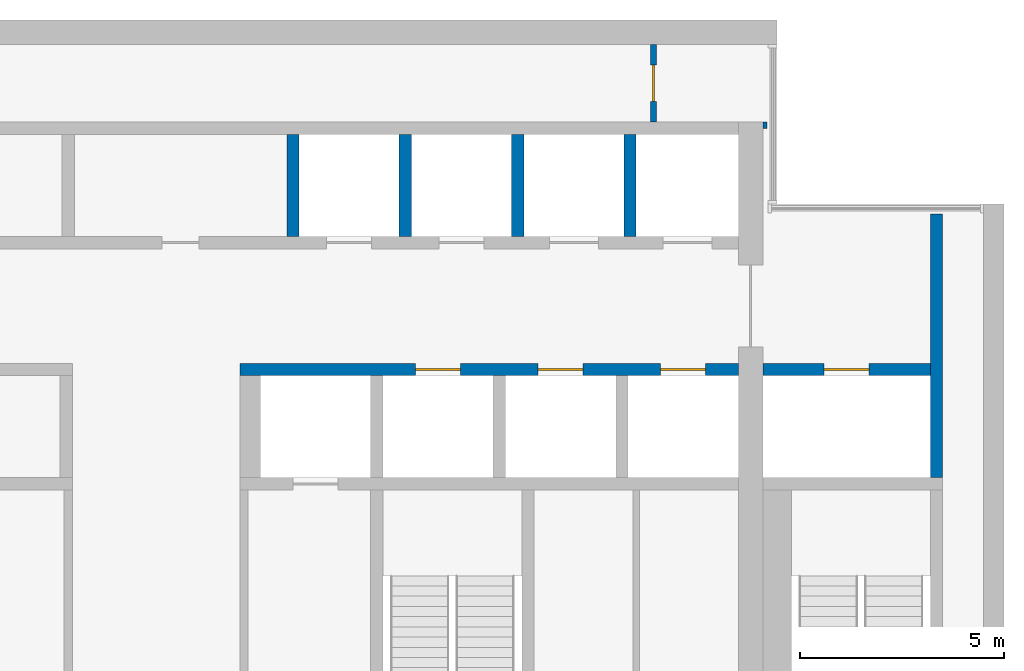
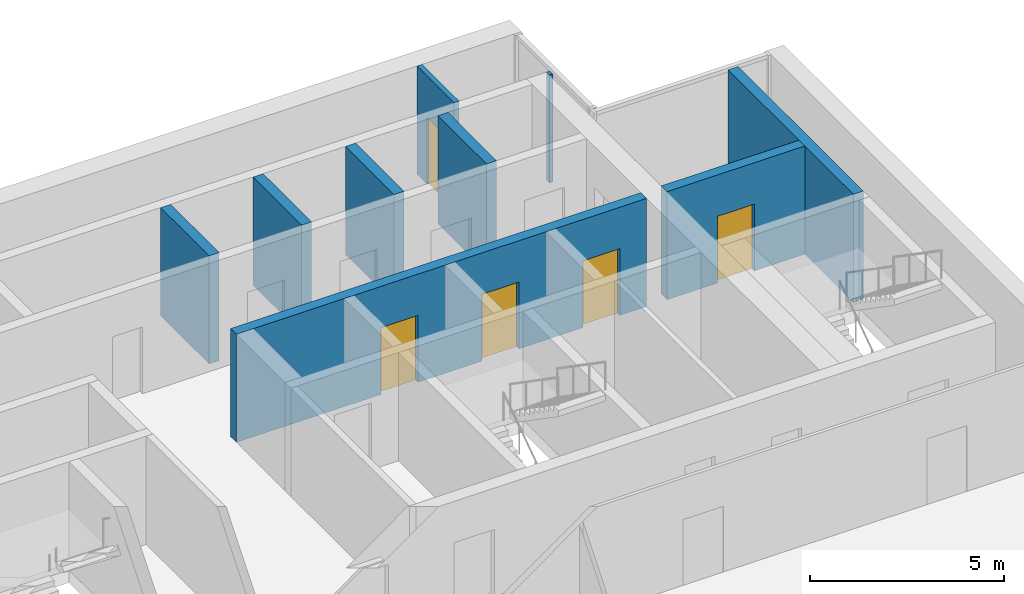
# One storey, part 11 of 14: 9 walls, 5 doors, 5 openings.
"""IFC4 building model written with IfcOpenShell, lengths in metres."""

from ifc_helpers import new_model, si_unit, direction, frame, frame_2d, origin, place, context, subcontext, project, spatial, rectangle, extrude, material, layer, layer_set, type_object, element, fill, save


model = new_model("IFC4")

# Units and contexts
model_context = context("Model", 3, precision=1e-05, world=origin(), true_north=direction((0.0, 1.0)))
body_context = subcontext(model_context, "Body", "Model", "MODEL_VIEW")
ifc_project = project(units=[si_unit("LENGTHUNIT", "METRE"), si_unit("AREAUNIT", "SQUARE_METRE"), si_unit("VOLUMEUNIT", "CUBIC_METRE"), si_unit("PLANEANGLEUNIT", "RADIAN"), si_unit("MASSUNIT", "GRAM", prefix="KILO")], contexts=[model_context])

# Site, building, storey
site_placement = place(None, origin())
site = spatial("IfcSite", under=ifc_project, at=site_placement, CompositionType="ELEMENT")
building_placement = place(site_placement, origin())
building = spatial("IfcBuilding", under=site, at=building_placement, Name="Calvaro Tower", CompositionType="ELEMENT")
storey_placement = place(building_placement, frame((0.0, 0.0, 243.14990234375)))
storey = spatial("IfcBuildingStorey", under=building, at=storey_placement, Name="L61", CompositionType="ELEMENT", Elevation=243.14990234375)

# Wall
ifc_material_1 = material(Name="Blockwork partition", Category="masonry")
ifc_layer_1 = layer(ifc_material_1, 0.10009765625)
ifc_layer_set_1 = layer_set([ifc_layer_1], Name="Blockwork partition")
wall_type_1 = type_object("IfcWallType", Name="Core partition 100 REI 120", PredefinedType="PARTITIONING", material=ifc_layer_set_1)
wall_1_placement = place(storey_placement, frame((60.14990234375, 43.35009765625, 0.0), z_axis=(0.0, 0.0, 1.0), x_axis=(0.0, 1.0, 0.0)))
element("IfcWall", 1, at=wall_1_placement, inside=storey, type_object=wall_type_1, Name="Core partition", PredefinedType="PARTITIONING", context=body_context, shape_type="SweptSolid", body=[
    extrude(rectangle(XDim=0.14990234375, YDim=0.10009765625, at=frame_2d((0.074951171875, 0.0))), origin(), (0.0, 0.0, 1.0), 3.400146484375),
])

# Wall, opening, door
ifc_material_2 = material(Name="Blockwork partition", Category="masonry")
ifc_layer_2 = layer(ifc_material_2, 0.14990234375)
ifc_layer_set_2 = layer_set([ifc_layer_2], Name="Blockwork partition")
wall_type_2 = type_object("IfcWallType", Name="Core partition 150 REI 120", PredefinedType="PARTITIONING", material=ifc_layer_set_2)
wall_2_placement = place(storey_placement, frame((57.425048828125, 45.39990234375, 0.0), z_axis=(0.0, 0.0, 1.0), x_axis=(0.0, -1.0, 0.0)))
wall_2 = element("IfcWall", 2, at=wall_2_placement, inside=storey, type_object=wall_type_2, Name="Core partition", PredefinedType="PARTITIONING", context=body_context, shape_type="SweptSolid", body=[
    extrude(rectangle(XDim=1.89990234375, YDim=0.14990234375, at=frame_2d((0.949951171875, 0.0))), origin(), (0.0, 0.0, 1.0), 3.400146484375),
])
opening_1_placement = place(wall_2_placement, frame((0.5, 0.0, 0.0)))
opening_1 = element("IfcOpeningElement", 3, at=opening_1_placement, cuts=wall_2, Name="Opening RD9E", PredefinedType="OPENING", context=body_context, shape_type="SweptSolid", body=[
    extrude(rectangle(XDim=0.89990234375, YDim=2.10009765625, at=frame_2d((0.449951171875, 1.050048828125))), frame((0.0, 0.0849609375, 0.0), z_axis=(0.0, -1.0, 0.0), x_axis=(1.0, 0.0, 0.0)), (0.0, 0.0, 1.0), 0.169921875),
])
ifc_material_3 = material(Name="Steel door set", Category="steel")
door_type_1 = type_object("IfcDoorType", Name="Room door 900 FD60", OperationType="SINGLE_SWING_LEFT", PredefinedType="DOOR", material=ifc_material_3)
door_1_placement = place(opening_1_placement, origin())
door_1 = element("IfcDoor", 4, at=door_1_placement, inside=storey, type_object=door_type_1, Name="Room door", OperationType="SINGLE_SWING_LEFT", OverallHeight=2.10009765625, OverallWidth=0.89990234375, PredefinedType="DOOR", context=body_context, shape_type="SweptSolid", body=[
    extrude(rectangle(XDim=0.89990234375, YDim=2.10009765625, at=frame_2d((0.449951171875, 1.050048828125))), frame((0.0, 0.02490234375, 0.0), z_axis=(0.0, -1.0, 0.0), x_axis=(1.0, 0.0, 0.0)), (0.0, 0.0, 1.0), 0.050048828125),
])
fill(opening_1, door_1)

# Wall
ifc_material_4 = material(Name="Concrete C40/50", Category="concrete")
ifc_layer_3 = layer(ifc_material_4, 0.300048828125)
ifc_layer_set_3 = layer_set([ifc_layer_3], Name="Concrete C40/50")
wall_type_3 = type_object("IfcWallType", Name="Core wall C40/50 300", PredefinedType="SHEAR", material=ifc_layer_set_3)
wall_3_placement = place(storey_placement, frame((64.35009765625, 34.800048828125, 0.0), z_axis=(0.0, 0.0, 1.0), x_axis=(0.0, 1.0, 0.0)))
element("IfcWall", 5, at=wall_3_placement, inside=storey, type_object=wall_type_3, Name="Core wall, boundary", PredefinedType="SHEAR", context=body_context, shape_type="SweptSolid", body=[
    extrude(rectangle(XDim=6.449951171875, YDim=0.300048828125, at=frame_2d((3.22509765625, 0.0))), origin(), (0.0, 0.0, 1.0), 3.400146484375),
])

# Wall, openings, doors
wall_4_placement = place(storey_placement, frame((47.300048828125, 37.449951171875, 0.0), z_axis=(0.0, 0.0, 1.0), x_axis=(1.0, 0.0, 0.0)))
wall_4 = element("IfcWall", 6, at=wall_4_placement, inside=storey, type_object=wall_type_3, Name="Core wall, lift shaft", PredefinedType="SHEAR", context=body_context, shape_type="SweptSolid", body=[
    extrude(rectangle(XDim=12.199951171875, YDim=0.300048828125, at=frame_2d((6.10009765625, 0.0))), origin(), (0.0, 0.0, 1.0), 3.400146484375),
])
opening_2_placement = place(wall_4_placement, frame((4.300048828125, 0.0, 0.0)))
opening_2 = element("IfcOpeningElement", 7, at=opening_2_placement, cuts=wall_4, Name="Opening HR1", PredefinedType="OPENING", context=body_context, shape_type="SweptSolid", body=[
    extrude(rectangle(XDim=1.10009765625, YDim=2.10009765625, at=frame_2d((0.550048828125, 1.050048828125))), frame((0.0, 0.159912109375, 0.0), z_axis=(0.0, -1.0, 0.0), x_axis=(1.0, 0.0, 0.0)), (0.0, 0.0, 1.0), 0.320068359375),
])
opening_3_placement = place(wall_4_placement, frame((7.300048828125, 0.0, 0.0)))
opening_3 = element("IfcOpeningElement", 8, at=opening_3_placement, cuts=wall_4, Name="Opening HR2", PredefinedType="OPENING", context=body_context, shape_type="SweptSolid", body=[
    extrude(rectangle(XDim=1.10009765625, YDim=2.10009765625, at=frame_2d((0.550048828125, 1.050048828125))), frame((0.0, 0.159912109375, 0.0), z_axis=(0.0, -1.0, 0.0), x_axis=(1.0, 0.0, 0.0)), (0.0, 0.0, 1.0), 0.320068359375),
])
opening_4_placement = place(wall_4_placement, frame((10.300048828125, 0.0, 0.0)))
opening_4 = element("IfcOpeningElement", 9, at=opening_4_placement, cuts=wall_4, Name="Opening HR3", PredefinedType="OPENING", context=body_context, shape_type="SweptSolid", body=[
    extrude(rectangle(XDim=1.10009765625, YDim=2.10009765625, at=frame_2d((0.550048828125, 1.050048828125))), frame((0.0, 0.159912109375, 0.0), z_axis=(0.0, -1.0, 0.0), x_axis=(1.0, 0.0, 0.0)), (0.0, 0.0, 1.0), 0.320068359375),
])
ifc_material_5 = material(Name="Stainless steel", Category="steel")
door_type_2 = type_object("IfcDoorType", Name="Landing door 1100 E 60", OperationType="SLIDING_TO_LEFT", PredefinedType="DOOR", material=ifc_material_5)
door_2_placement = place(opening_2_placement, origin())
door_2 = element("IfcDoor", 10, at=door_2_placement, inside=storey, type_object=door_type_2, Name="Landing door HR1", OperationType="SLIDING_TO_LEFT", OverallHeight=2.10009765625, OverallWidth=1.10009765625, PredefinedType="DOOR", context=body_context, shape_type="SweptSolid", body=[
    extrude(rectangle(XDim=1.10009765625, YDim=2.10009765625, at=frame_2d((0.550048828125, 1.050048828125))), frame((0.0, 0.02490234375, 0.0), z_axis=(0.0, -1.0, 0.0), x_axis=(1.0, 0.0, 0.0)), (0.0, 0.0, 1.0), 0.050048828125),
])
fill(opening_2, door_2)
door_3_placement = place(opening_3_placement, origin())
door_3 = element("IfcDoor", 11, at=door_3_placement, inside=storey, type_object=door_type_2, Name="Landing door HR2", OperationType="SLIDING_TO_LEFT", OverallHeight=2.10009765625, OverallWidth=1.10009765625, PredefinedType="DOOR", context=body_context, shape_type="SweptSolid", body=[
    extrude(rectangle(XDim=1.10009765625, YDim=2.10009765625, at=frame_2d((0.550048828125, 1.050048828125))), frame((0.0, 0.02490234375, 0.0), z_axis=(0.0, -1.0, 0.0), x_axis=(1.0, 0.0, 0.0)), (0.0, 0.0, 1.0), 0.050048828125),
])
fill(opening_3, door_3)
door_4_placement = place(opening_4_placement, origin())
door_4 = element("IfcDoor", 12, at=door_4_placement, inside=storey, type_object=door_type_2, Name="Landing door HR3", OperationType="SLIDING_TO_LEFT", OverallHeight=2.10009765625, OverallWidth=1.10009765625, PredefinedType="DOOR", context=body_context, shape_type="SweptSolid", body=[
    extrude(rectangle(XDim=1.10009765625, YDim=2.10009765625, at=frame_2d((0.550048828125, 1.050048828125))), frame((0.0, 0.02490234375, 0.0), z_axis=(0.0, -1.0, 0.0), x_axis=(1.0, 0.0, 0.0)), (0.0, 0.0, 1.0), 0.050048828125),
])
fill(opening_4, door_4)

# Wall, opening, door
wall_5_placement = place(storey_placement, frame((60.10009765625, 37.449951171875, 0.0), z_axis=(0.0, 0.0, 1.0), x_axis=(1.0, 0.0, 0.0)))
wall_5 = element("IfcWall", 13, at=wall_5_placement, inside=storey, type_object=wall_type_3, Name="Core wall, lift shaft", PredefinedType="SHEAR", context=body_context, shape_type="SweptSolid", body=[
    extrude(rectangle(XDim=4.099853515625, YDim=0.300048828125, at=frame_2d((2.0498046875, 0.0))), origin(), (0.0, 0.0, 1.0), 3.400146484375),
])
opening_5_placement = place(wall_5_placement, frame((1.5, 0.0, 0.0)))
opening_5 = element("IfcOpeningElement", 14, at=opening_5_placement, cuts=wall_5, Name="Opening FF3", PredefinedType="OPENING", context=body_context, shape_type="SweptSolid", body=[
    extrude(rectangle(XDim=1.10009765625, YDim=2.10009765625, at=frame_2d((0.550048828125, 1.050048828125))), frame((0.0, 0.159912109375, 0.0), z_axis=(0.0, -1.0, 0.0), x_axis=(1.0, 0.0, 0.0)), (0.0, 0.0, 1.0), 0.320068359375),
])
door_5_placement = place(opening_5_placement, origin())
door_5 = element("IfcDoor", 15, at=door_5_placement, inside=storey, type_object=door_type_2, Name="Landing door FF3", OperationType="SLIDING_TO_LEFT", OverallHeight=2.10009765625, OverallWidth=1.10009765625, PredefinedType="DOOR", context=body_context, shape_type="SweptSolid", body=[
    extrude(rectangle(XDim=1.10009765625, YDim=2.10009765625, at=frame_2d((0.550048828125, 1.050048828125))), frame((0.0, 0.02490234375, 0.0), z_axis=(0.0, -1.0, 0.0), x_axis=(1.0, 0.0, 0.0)), (0.0, 0.0, 1.0), 0.050048828125),
])
fill(opening_5, door_5)

# Walls
for number, where, z_axis, x_axis, name in (
    (16, (48.60009765625, 40.699951171875, 0.0), (0.0, 0.0, 1.0), (0.0, 1.0, 0.0), "Core wall, lift shaft"),
    (17, (51.35009765625, 40.699951171875, 0.0), (0.0, 0.0, 1.0), (0.0, 1.0, 0.0), "Core wall, lift shaft"),
    (18, (54.10009765625, 40.699951171875, 0.0), (0.0, 0.0, 1.0), (0.0, 1.0, 0.0), "Core wall, lift shaft"),
    (19, (56.85009765625, 40.699951171875, 0.0), (0.0, 0.0, 1.0), (0.0, 1.0, 0.0), "Core wall, lift shaft"),
):
    element("IfcWall", number, at=place(storey_placement, frame(where, z_axis=z_axis, x_axis=x_axis)), inside=storey, type_object=wall_type_3, Name=name, PredefinedType="SHEAR", context=body_context, shape_type="SweptSolid", body=[
        extrude(rectangle(XDim=2.5, YDim=0.300048828125, at=frame_2d((1.25, 0.0))), origin(), (0.0, 0.0, 1.0), 3.400146484375),
    ])

save(model, "model.ifc")
